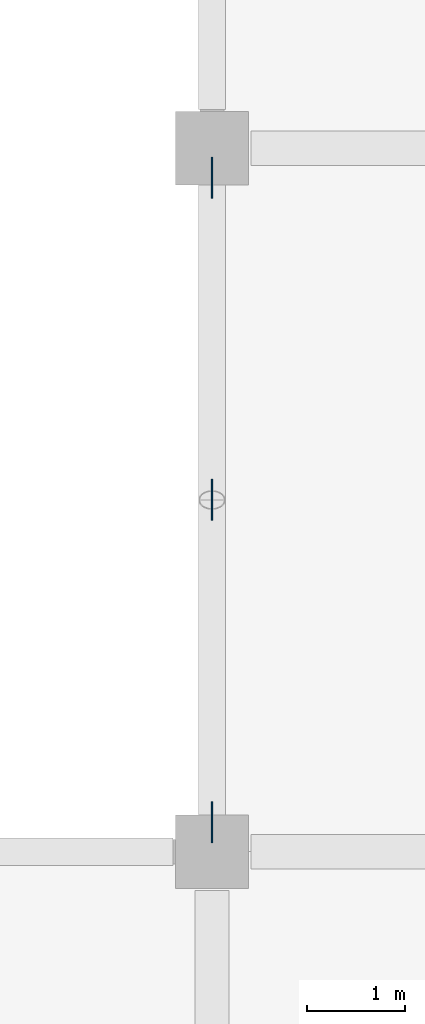
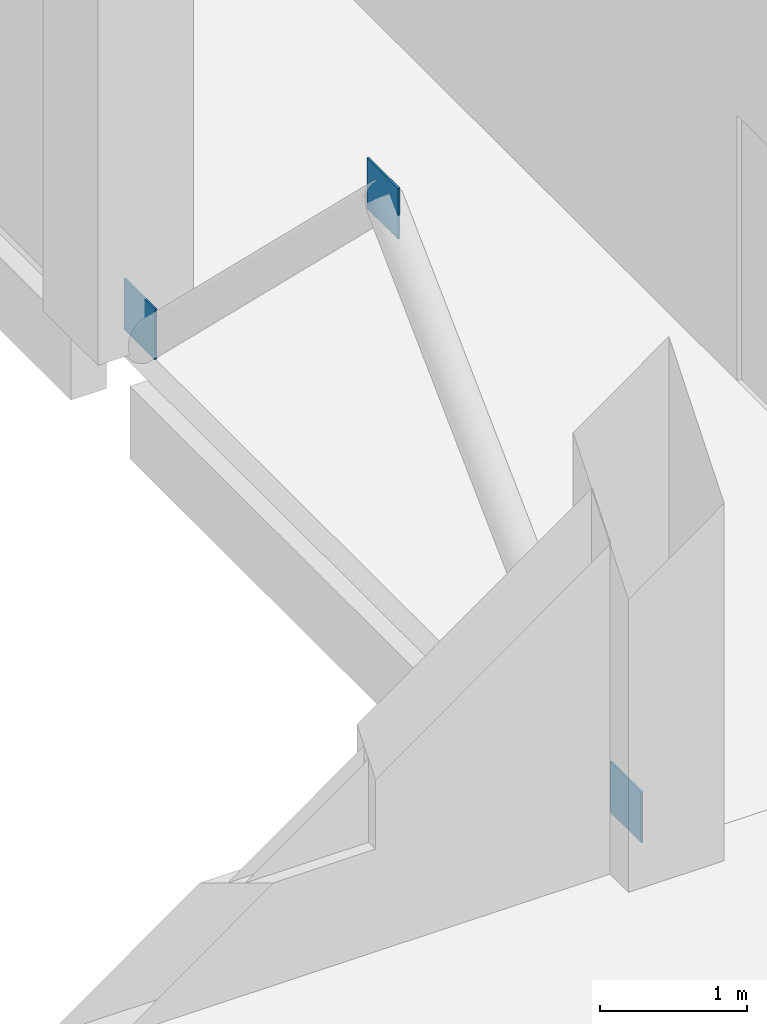
# One storey, part 78 of 108: 3 plates.
"""IFC4 building model written with IfcOpenShell, lengths in metres."""

from ifc_helpers import new_model, si_unit, direction, frame, origin, origin_2d, place, context, subcontext, project, spatial, rectangle, extrude, material, layer, layer_set, type_object, element, save


model = new_model("IFC4")

# Units and contexts
model_context = context("Model", 3, precision=1e-05, world=origin(), true_north=direction((0.0, 1.0)))
body_context = subcontext(model_context, "Body", "Model", "MODEL_VIEW")
ifc_project = project(units=[si_unit("LENGTHUNIT", "METRE"), si_unit("AREAUNIT", "SQUARE_METRE"), si_unit("VOLUMEUNIT", "CUBIC_METRE"), si_unit("PLANEANGLEUNIT", "RADIAN"), si_unit("MASSUNIT", "GRAM", prefix="KILO")], contexts=[model_context])

# Site, building, storey
site_placement = place(None, origin())
site = spatial("IfcSite", under=ifc_project, at=site_placement, CompositionType="ELEMENT")
building_placement = place(site_placement, origin())
building = spatial("IfcBuilding", under=site, at=building_placement, Name="Kangsadwip Square Police Headquarters", CompositionType="ELEMENT")
storey_placement = place(building_placement, frame((0.0, 0.0, 9.449951171875)))
storey = spatial("IfcBuildingStorey", under=building, at=storey_placement, Name="L02", CompositionType="ELEMENT", Elevation=9.449951171875)

# Plates
ifc_material = material(Name="Structural steel IS 2062 E350 (Grade 350, 350 MPa)", Category="steel")
ifc_layer = layer(ifc_material, 0.01611328125)
ifc_layer_set = layer_set([ifc_layer], Name="Structural steel IS 2062 E350 (Grade 350, 350 MPa)")
plate_type = type_object("IfcPlateType", Name="TrussGussetPlate16", PredefinedType="USERDEFINED", material=ifc_layer_set)
for number, where, z_axis, x_axis, name in (
    (1, (144.0, 39.60009765625, 3.0), (0.0, 0.0, 1.0), (0.0, 1.0, 0.0), "Truss Node Gusset Plate GP-L02-0157"),
    (2, (144.0, 36.300048828125, 0.0), (0.0, 0.0, 1.0), (0.0, 1.0, 0.0), "Truss Node Gusset Plate GP-L02-0158"),
    (3, (144.0, 42.89990234375, 0.0), (0.0, 0.0, 1.0), (0.0, 1.0, 0.0), "Truss Node Gusset Plate GP-L02-0159"),
):
    element("IfcPlate", number, at=place(storey_placement, frame(where, z_axis=z_axis, x_axis=x_axis)), inside=storey, type_object=plate_type, Name=name, ObjectType="GUSSET_PLATE", PredefinedType="USERDEFINED", context=body_context, shape_type="SweptSolid", body=[
        extrude(rectangle(XDim=0.419921875, YDim=0.01611328125, at=origin_2d()), origin(), (0.0, 0.0, 1.0), 0.419921875),
    ])

save(model, "model.ifc")
